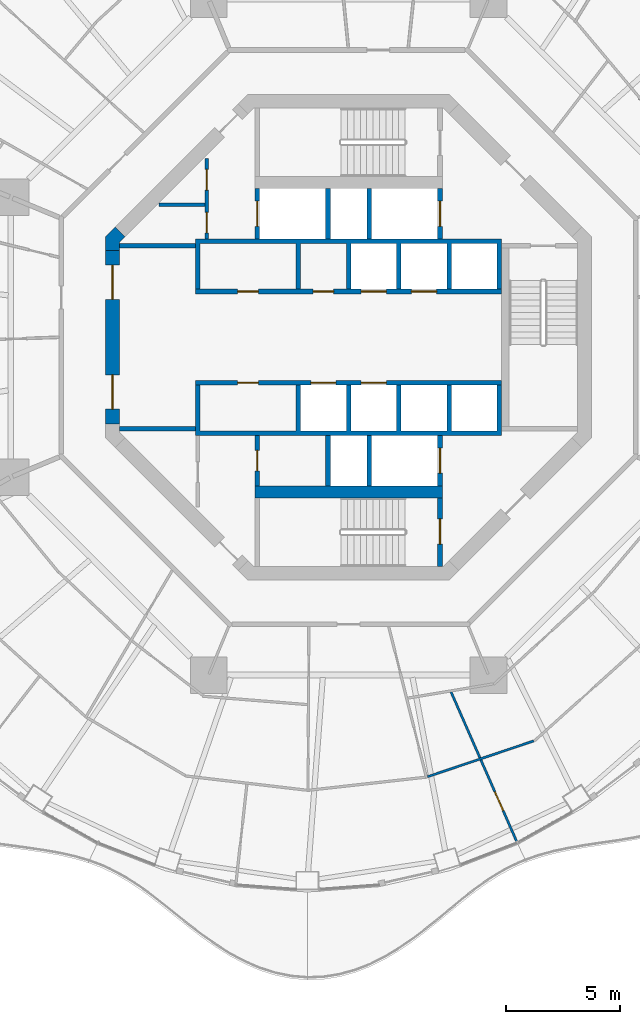
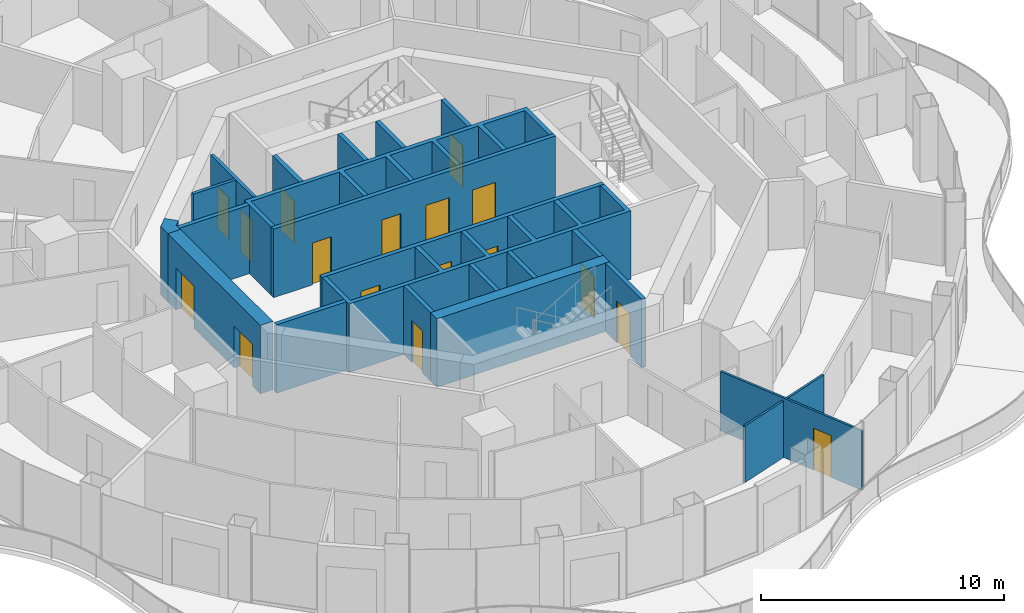
# One storey, part 11 of 18: 22 walls, 17 doors, 17 openings.
"""IFC4 building model written with IfcOpenShell, lengths in metres."""

from ifc_helpers import new_model, si_unit, direction, frame, frame_2d, origin, place, context, subcontext, project, spatial, polyline, rectangle, outline, extrude, material, layer, layer_set, type_object, element, fill, save


model = new_model("IFC4")

# Units and contexts
model_context = context("Model", 3, precision=1e-05, world=origin(), true_north=direction((0.0, 1.0)))
body_context = subcontext(model_context, "Body", "Model", "MODEL_VIEW")
ifc_project = project(units=[si_unit("LENGTHUNIT", "METRE"), si_unit("AREAUNIT", "SQUARE_METRE"), si_unit("VOLUMEUNIT", "CUBIC_METRE"), si_unit("PLANEANGLEUNIT", "RADIAN"), si_unit("MASSUNIT", "GRAM", prefix="KILO")], contexts=[model_context])

# Site, building, storey
site_placement = place(None, origin())
site = spatial("IfcSite", under=ifc_project, at=site_placement, CompositionType="ELEMENT")
building_placement = place(site_placement, origin())
building = spatial("IfcBuilding", under=site, at=building_placement, Name="Nagisa Residences", CompositionType="ELEMENT")
storey_placement = place(building_placement, frame((0.0, 0.0, 223.300048828125)))
storey = spatial("IfcBuildingStorey", under=building, at=storey_placement, Name="L56", CompositionType="ELEMENT", Elevation=223.300048828125)

# Wall
ifc_material_1 = material(Name="Gypsum board on steel studs", Category="steel")
ifc_layer_1 = layer(ifc_material_1, 0.10009765625)
ifc_layer_set_1 = layer_set([ifc_layer_1], Name="Apartment partition 100")
wall_type_1 = type_object("IfcWallType", Name="Apartment partition 100", PredefinedType="PARTITIONING", material=ifc_layer_set_1)
wall_1_placement = place(storey_placement, frame((3.453125, -19.228759765625, 0.0), z_axis=(0.0, 0.0, 1.0), x_axis=(0.947572025416, 0.319542261133, 0.0)))
element("IfcWall", 1, at=wall_1_placement, inside=storey, type_object=wall_type_1, Name="wall:L56:u78", PredefinedType="PARTITIONING", context=body_context, shape_type="SweptSolid", body=[
    extrude(rectangle(XDim=4.90283203125, YDim=0.10009765625, at=frame_2d((2.451416015625, 0.0))), origin(), (0.0, 0.0, 1.0), 2.8369140625),
])

# Wall, opening, door
wall_2_placement = place(storey_placement, frame((4.4853515625, -15.5224609375, 0.0), z_axis=(0.0, 0.0, 1.0), x_axis=(0.401959715825, -0.915657352318, 0.0)))
wall_2 = element("IfcWall", 2, at=wall_2_placement, inside=storey, type_object=wall_type_1, Name="wall:L56:u79", PredefinedType="PARTITIONING", context=body_context, shape_type="SweptSolid", body=[
    extrude(rectangle(XDim=7.23876953125, YDim=0.10009765625, at=frame_2d((3.619384765625, 0.0))), origin(), (0.0, 0.0, 1.0), 2.98291015625),
])
opening_1_placement = place(wall_2_placement, frame((4.76708984375, 0.0, 0.0)))
opening_1 = element("IfcOpeningElement", 3, at=opening_1_placement, cuts=wall_2, Name="Opening L56-U22", PredefinedType="OPENING", context=body_context, shape_type="SweptSolid", body=[
    extrude(rectangle(XDim=0.89990234375, YDim=2.10009765625, at=frame_2d((0.449951171875, 1.050048828125))), frame((0.0, 0.06005859375, 0.0), z_axis=(0.0, -1.0, 0.0), x_axis=(1.0, 0.0, 0.0)), (0.0, 0.0, 1.0), 0.1201171875),
])
ifc_material_2 = material(Name="Timber door set", Category="wood")
door_type_1 = type_object("IfcDoorType", Name="Apartment door 900x2100", OperationType="NOTDEFINED", PredefinedType="DOOR", material=ifc_material_2)
door_1_placement = place(opening_1_placement, origin())
door_1 = element("IfcDoor", 4, at=door_1_placement, inside=storey, type_object=door_type_1, Name="Door to bedroom, Apartment 56C", OperationType="SINGLE_SWING_RIGHT", OverallHeight=2.10009765625, OverallWidth=0.89990234375, PredefinedType="DOOR", context=body_context, shape_type="SweptSolid", body=[
    extrude(rectangle(XDim=0.89990234375, YDim=2.10009765625, at=frame_2d((0.449951171875, 1.050048828125))), frame((0.0, 0.02490234375, 0.0), z_axis=(0.0, -1.0, 0.0), x_axis=(1.0, 0.0, 0.0)), (0.0, 0.0, 1.0), 0.050048828125),
])
fill(opening_1, door_1)

# Wall, openings, doors
ifc_material_3 = material(Name="Gypsum board on steel studs", Category="steel")
ifc_layer_2 = layer(ifc_material_3, 0.14990234375)
ifc_layer_set_2 = layer_set([ifc_layer_2], Name="Core partition 150")
wall_type_2 = type_object("IfcWallType", Name="Core partition 150", PredefinedType="PARTITIONING", material=ifc_layer_set_2)
wall_3_placement = place(storey_placement, frame((-6.199951171875, 4.300048828125, 0.0), z_axis=(0.0, 0.0, 1.0), x_axis=(0.0, 1.0, 0.0)))
wall_3 = element("IfcWall", 5, at=wall_3_placement, inside=storey, type_object=wall_type_2, Name="wall:L56:NWp", PredefinedType="PARTITIONING", context=body_context, shape_type="SweptSolid", body=[
    extrude(rectangle(XDim=3.52685546875, YDim=0.14990234375, at=frame_2d((1.763427734375, 0.0))), origin(), (0.0, 0.0, 1.0), 3.43994140625),
])
opening_2_placement = place(wall_3_placement, frame((0.262451171875, 0.0, 0.0)))
opening_2 = element("IfcOpeningElement", 6, at=opening_2_placement, cuts=wall_3, Name="Opening L56-C11", PredefinedType="OPENING", context=body_context, shape_type="SweptSolid", body=[
    extrude(rectangle(XDim=0.89990234375, YDim=2.10009765625, at=frame_2d((0.449951171875, 1.050048828125))), frame((0.0, 0.0849609375, 0.0), z_axis=(0.0, -1.0, 0.0), x_axis=(1.0, 0.0, 0.0)), (0.0, 0.0, 1.0), 0.169921875),
])
opening_3_placement = place(wall_3_placement, frame((2.138427734375, 0.0, 0.0)))
opening_3 = element("IfcOpeningElement", 7, at=opening_3_placement, cuts=wall_3, Name="Opening L56-C12", PredefinedType="OPENING", context=body_context, shape_type="SweptSolid", body=[
    extrude(rectangle(XDim=0.89990234375, YDim=2.10009765625, at=frame_2d((0.449951171875, 1.050048828125))), frame((0.0, 0.0849609375, 0.0), z_axis=(0.0, -1.0, 0.0), x_axis=(1.0, 0.0, 0.0)), (0.0, 0.0, 1.0), 0.169921875),
])
ifc_material_4 = material(Name="Steel fire door", Category="steel")
door_type_2 = type_object("IfcDoorType", Name="Fire door EI30 900x2100 single swing", OperationType="NOTDEFINED", PredefinedType="DOOR", material=ifc_material_4)
door_2_placement = place(opening_2_placement, origin())
door_2 = element("IfcDoor", 8, at=door_2_placement, inside=storey, type_object=door_type_2, Name="Package room door L56", OperationType="SINGLE_SWING_RIGHT", OverallHeight=2.10009765625, OverallWidth=0.89990234375, PredefinedType="DOOR", context=body_context, shape_type="SweptSolid", body=[
    extrude(rectangle(XDim=0.89990234375, YDim=2.10009765625, at=frame_2d((0.449951171875, 1.050048828125))), frame((0.0, 0.02490234375, 0.0), z_axis=(0.0, -1.0, 0.0), x_axis=(1.0, 0.0, 0.0)), (0.0, 0.0, 1.0), 0.050048828125),
])
fill(opening_2, door_2)
door_3_placement = place(opening_3_placement, origin())
door_3 = element("IfcDoor", 9, at=door_3_placement, inside=storey, type_object=door_type_2, Name="Valet store door L56", OperationType="SINGLE_SWING_RIGHT", OverallHeight=2.10009765625, OverallWidth=0.89990234375, PredefinedType="DOOR", context=body_context, shape_type="SweptSolid", body=[
    extrude(rectangle(XDim=0.89990234375, YDim=2.10009765625, at=frame_2d((0.449951171875, 1.050048828125))), frame((0.0, 0.02490234375, 0.0), z_axis=(0.0, -1.0, 0.0), x_axis=(1.0, 0.0, 0.0)), (0.0, 0.0, 1.0), 0.050048828125),
])
fill(opening_3, door_3)

# Walls
wall_4_placement = place(storey_placement, frame((-8.301025390625, 5.800048828125, 0.0), z_axis=(0.0, 0.0, 1.0), x_axis=(1.0, 0.0, 0.0)))
element("IfcWall", 10, at=wall_4_placement, inside=storey, type_object=wall_type_2, Name="wall:L56:NWq", PredefinedType="PARTITIONING", context=body_context, shape_type="SweptSolid", body=[
    extrude(rectangle(XDim=2.026123046875, YDim=0.14990234375, at=frame_2d((1.01318359375, 0.0))), origin(), (0.0, 0.0, 1.0), 3.43994140625),
])
ifc_material_5 = material(Name="Gypsum board on steel studs", Category="steel")
ifc_layer_3 = layer(ifc_material_5, 0.199951171875)
ifc_layer_set_3 = layer_set([ifc_layer_3], Name="Core partition 200")
wall_type_3 = type_object("IfcWallType", Name="Core partition 200", PredefinedType="PARTITIONING", material=ifc_layer_set_3)
for number, where, z_axis, x_axis, name in (
    (11, (-10.024658203125, -4.0, 0.0), (0.0, 0.0, 1.0), (1.0, 0.0, 0.0), "wall:L56:PSW"),
    (12, (-10.024658203125, 4.0, 0.0), (0.0, 0.0, 1.0), (1.0, 0.0, 0.0), "wall:L56:PNW"),
):
    element("IfcWall", number, at=place(storey_placement, frame(where, z_axis=z_axis, x_axis=x_axis)), inside=storey, type_object=wall_type_3, Name=name, PredefinedType="PARTITIONING", context=body_context, shape_type="SweptSolid", body=[
        extrude(rectangle(XDim=3.32470703125, YDim=0.199951171875, at=frame_2d((1.662353515625, 0.0))), origin(), (0.0, 0.0, 1.0), 3.43994140625),
    ])

# Wall, openings, doors
ifc_material_6 = material(Name="Concrete C60", Category="concrete")
ifc_layer_4 = layer(ifc_material_6, 0.60009765625)
ifc_layer_set_4 = layer_set([ifc_layer_4], Name="Core shear wall 600")
wall_type_4 = type_object("IfcWallType", Name="Core shear wall 600", PredefinedType="SHEAR", material=ifc_layer_set_4)
wall_5_placement = place(storey_placement, frame((-10.32470703125, 3.80078125, 0.0), z_axis=(0.0, 0.0, 1.0), x_axis=(0.0, -1.0, 0.0)))
wall_5 = element("IfcWall", 13, at=wall_5_placement, inside=storey, type_object=wall_type_4, Name="wall:L56:core:flat4", PredefinedType="SHEAR", context=body_context, shape_type="SweptSolid", body=[
    extrude(rectangle(XDim=7.6015625, YDim=0.60009765625, at=frame_2d((3.80078125, 0.0))), origin(), (0.0, 0.0, 1.0), 3.43994140625),
])
opening_4_placement = place(wall_5_placement, frame((0.65087890625, 0.0, 0.0)))
opening_4 = element("IfcOpeningElement", 14, at=opening_4_placement, cuts=wall_5, Name="Opening L56-C20", PredefinedType="OPENING", context=body_context, shape_type="SweptSolid", body=[
    extrude(rectangle(XDim=1.5, YDim=2.10009765625, at=frame_2d((0.75, 1.050048828125))), frame((0.0, 0.31005859375, 0.0), z_axis=(0.0, -1.0, 0.0), x_axis=(1.0, 0.0, 0.0)), (0.0, 0.0, 1.0), 0.6201171875),
])
opening_5_placement = place(wall_5_placement, frame((5.450927734375, 0.0, 0.0)))
opening_5 = element("IfcOpeningElement", 15, at=opening_5_placement, cuts=wall_5, Name="Opening L56-C21", PredefinedType="OPENING", context=body_context, shape_type="SweptSolid", body=[
    extrude(rectangle(XDim=1.5, YDim=2.10009765625, at=frame_2d((0.75, 1.050048828125))), frame((0.0, 0.31005859375, 0.0), z_axis=(0.0, -1.0, 0.0), x_axis=(1.0, 0.0, 0.0)), (0.0, 0.0, 1.0), 0.6201171875),
])
ifc_material_7 = material(Name="Steel fire door", Category="steel")
door_type_3 = type_object("IfcDoorType", Name="Fire door EI60 1500x2100 double door single swing", OperationType="DOUBLE_DOOR_SINGLE_SWING", PredefinedType="DOOR", material=ifc_material_7)
door_4_placement = place(opening_4_placement, origin())
door_4 = element("IfcDoor", 16, at=door_4_placement, inside=storey, type_object=door_type_3, Name="Lift lobby door L56 1", OperationType="DOUBLE_DOOR_SINGLE_SWING", OverallHeight=2.10009765625, OverallWidth=1.5, PredefinedType="DOOR", context=body_context, shape_type="SweptSolid", body=[
    extrude(rectangle(XDim=1.5, YDim=2.10009765625, at=frame_2d((0.75, 1.050048828125))), frame((0.0, 0.02490234375, 0.0), z_axis=(0.0, -1.0, 0.0), x_axis=(1.0, 0.0, 0.0)), (0.0, 0.0, 1.0), 0.050048828125),
])
fill(opening_4, door_4)
door_5_placement = place(opening_5_placement, origin())
door_5 = element("IfcDoor", 17, at=door_5_placement, inside=storey, type_object=door_type_3, Name="Lift lobby door L56 2", OperationType="DOUBLE_DOOR_SINGLE_SWING", OverallHeight=2.10009765625, OverallWidth=1.5, PredefinedType="DOOR", context=body_context, shape_type="SweptSolid", body=[
    extrude(rectangle(XDim=1.5, YDim=2.10009765625, at=frame_2d((0.75, 1.050048828125))), frame((0.0, 0.02490234375, 0.0), z_axis=(0.0, -1.0, 0.0), x_axis=(1.0, 0.0, 0.0)), (0.0, 0.0, 1.0), 0.050048828125),
])
fill(opening_5, door_5)

# Wall
wall_6_placement = place(storey_placement, origin())
element("IfcWall", 18, at=wall_6_placement, inside=storey, type_object=wall_type_4, Name="wall:L56:core:pier3", PredefinedType="SHEAR", context=body_context, shape_type="SweptSolid", body=[
    extrude(outline(polyline([(-10.200439453125, 4.8251953125), (-9.776123046875, 4.40087890625), (-10.024658203125, 4.15234375), (-10.024658203125, 3.80078125), (-10.62451171875, 3.80078125), (-10.62451171875, 4.40087890625), (-10.200439453125, 4.8251953125)])), origin(), (0.0, 0.0, 1.0), 3.43994140625),
])

# Wall, opening, door
ifc_material_8 = material(Name="Concrete C60", Category="concrete")
ifc_layer_5 = layer(ifc_material_8, 0.199951171875)
ifc_layer_set_5 = layer_set([ifc_layer_5], Name="Lift shaft wall 200")
wall_type_5 = type_object("IfcWallType", Name="Lift shaft wall 200", PredefinedType="SOLIDWALL", material=ifc_layer_set_5)
wall_7_placement = place(storey_placement, frame((4.0, 4.300048828125, 0.0), z_axis=(0.0, 0.0, 1.0), x_axis=(0.0, 1.0, 0.0)))
wall_7 = element("IfcWall", 19, at=wall_7_placement, inside=storey, type_object=wall_type_5, Name="wall:L56:Nb3", PredefinedType="SOLIDWALL", context=body_context, shape_type="SweptSolid", body=[
    extrude(rectangle(XDim=2.199951171875, YDim=0.199951171875, at=frame_2d((1.10009765625, 0.0))), origin(), (0.0, 0.0, 1.0), 3.43994140625),
])
opening_6_placement = place(wall_7_placement, frame((0.550048828125, 0.0, 0.0)))
opening_6 = element("IfcOpeningElement", 20, at=opening_6_placement, cuts=wall_7, Name="Opening L56-C05", PredefinedType="OPENING", context=body_context, shape_type="SweptSolid", body=[
    extrude(rectangle(XDim=1.10009765625, YDim=2.10009765625, at=frame_2d((0.550048828125, 1.050048828125))), frame((0.0, 0.10986328125, 0.0), z_axis=(0.0, -1.0, 0.0), x_axis=(1.0, 0.0, 0.0)), (0.0, 0.0, 1.0), 0.219970703125),
])
ifc_material_9 = material(Name="Stainless steel", Category="steel")
door_type_4 = type_object("IfcDoorType", Name="Lift landing door 1100x2100", OperationType="DOUBLE_DOOR_SLIDING", PredefinedType="DOOR", material=ifc_material_9)
door_6_placement = place(opening_6_placement, origin())
door_6 = element("IfcDoor", 21, at=door_6_placement, inside=storey, type_object=door_type_4, Name="Landing door FL1 L56", OperationType="DOUBLE_DOOR_SLIDING", OverallHeight=2.10009765625, OverallWidth=1.10009765625, PredefinedType="DOOR", context=body_context, shape_type="SweptSolid", body=[
    extrude(rectangle(XDim=1.10009765625, YDim=2.10009765625, at=frame_2d((0.550048828125, 1.050048828125))), frame((0.0, 0.02490234375, 0.0), z_axis=(0.0, -1.0, 0.0), x_axis=(1.0, 0.0, 0.0)), (0.0, 0.0, 1.0), 0.050048828125),
])
fill(opening_6, door_6)

wall_8_placement = place(storey_placement, frame((-4.0, 4.300048828125, 0.0), z_axis=(0.0, 0.0, 1.0), x_axis=(0.0, 1.0, 0.0)))
wall_8 = element("IfcWall", 22, at=wall_8_placement, inside=storey, type_object=wall_type_5, Name="wall:L56:Nb4", PredefinedType="SOLIDWALL", context=body_context, shape_type="SweptSolid", body=[
    extrude(rectangle(XDim=2.199951171875, YDim=0.199951171875, at=frame_2d((1.10009765625, 0.0))), origin(), (0.0, 0.0, 1.0), 3.43994140625),
])
opening_7_placement = place(wall_8_placement, frame((0.550048828125, 0.0, 0.0)))
opening_7 = element("IfcOpeningElement", 23, at=opening_7_placement, cuts=wall_8, Name="Opening L56-C07", PredefinedType="OPENING", context=body_context, shape_type="SweptSolid", body=[
    extrude(rectangle(XDim=1.10009765625, YDim=2.10009765625, at=frame_2d((0.550048828125, 1.050048828125))), frame((0.0, 0.10986328125, 0.0), z_axis=(0.0, -1.0, 0.0), x_axis=(1.0, 0.0, 0.0)), (0.0, 0.0, 1.0), 0.219970703125),
])
door_7_placement = place(opening_7_placement, origin())
door_7 = element("IfcDoor", 24, at=door_7_placement, inside=storey, type_object=door_type_4, Name="Landing door SV L56", OperationType="DOUBLE_DOOR_SLIDING", OverallHeight=2.10009765625, OverallWidth=1.10009765625, PredefinedType="DOOR", context=body_context, shape_type="SweptSolid", body=[
    extrude(rectangle(XDim=1.10009765625, YDim=2.10009765625, at=frame_2d((0.550048828125, 1.050048828125))), frame((0.0, 0.02490234375, 0.0), z_axis=(0.0, -1.0, 0.0), x_axis=(1.0, 0.0, 0.0)), (0.0, 0.0, 1.0), 0.050048828125),
])
fill(opening_7, door_7)

# Wall, openings, doors
wall_9_placement = place(storey_placement, frame((-6.699951171875, 2.0, 0.0), z_axis=(0.0, 0.0, 1.0), x_axis=(1.0, 0.0, 0.0)))
wall_9 = element("IfcWall", 25, at=wall_9_placement, inside=storey, type_object=wall_type_5, Name="wall:L56:Nfront", PredefinedType="SOLIDWALL", context=body_context, shape_type="SweptSolid", body=[
    extrude(rectangle(XDim=13.39990234375, YDim=0.199951171875, at=frame_2d((6.699951171875, 0.0))), origin(), (0.0, 0.0, 1.0), 3.43994140625),
])
opening_8_placement = place(wall_9_placement, frame((7.25, 0.0, 0.0)))
opening_8 = element("IfcOpeningElement", 26, at=opening_8_placement, cuts=wall_9, Name="Opening L56-C01", PredefinedType="OPENING", context=body_context, shape_type="SweptSolid", body=[
    extrude(rectangle(XDim=1.10009765625, YDim=2.10009765625, at=frame_2d((0.550048828125, 1.050048828125))), frame((0.0, 0.10986328125, 0.0), z_axis=(0.0, -1.0, 0.0), x_axis=(1.0, 0.0, 0.0)), (0.0, 0.0, 1.0), 0.219970703125),
])
opening_9_placement = place(wall_9_placement, frame((9.449951171875, 0.0, 0.0)))
opening_9 = element("IfcOpeningElement", 27, at=opening_9_placement, cuts=wall_9, Name="Opening L56-C02", PredefinedType="OPENING", context=body_context, shape_type="SweptSolid", body=[
    extrude(rectangle(XDim=1.10009765625, YDim=2.10009765625, at=frame_2d((0.550048828125, 1.050048828125))), frame((0.0, 0.10986328125, 0.0), z_axis=(0.0, -1.0, 0.0), x_axis=(1.0, 0.0, 0.0)), (0.0, 0.0, 1.0), 0.219970703125),
])
opening_10_placement = place(wall_9_placement, frame((1.85009765625, 0.0, 0.0)))
opening_10 = element("IfcOpeningElement", 28, at=opening_10_placement, cuts=wall_9, Name="Opening L56-C15", PredefinedType="OPENING", context=body_context, shape_type="SweptSolid", body=[
    extrude(rectangle(XDim=0.89990234375, YDim=2.10009765625, at=frame_2d((0.449951171875, 1.050048828125))), frame((0.0, 0.10986328125, 0.0), z_axis=(0.0, -1.0, 0.0), x_axis=(1.0, 0.0, 0.0)), (0.0, 0.0, 1.0), 0.219970703125),
])
opening_11_placement = place(wall_9_placement, frame((5.14990234375, 0.0, 0.0)))
opening_11 = element("IfcOpeningElement", 29, at=opening_11_placement, cuts=wall_9, Name="Opening L56-C16", PredefinedType="OPENING", context=body_context, shape_type="SweptSolid", body=[
    extrude(rectangle(XDim=0.89990234375, YDim=2.10009765625, at=frame_2d((0.449951171875, 1.050048828125))), frame((0.0, 0.10986328125, 0.0), z_axis=(0.0, -1.0, 0.0), x_axis=(1.0, 0.0, 0.0)), (0.0, 0.0, 1.0), 0.219970703125),
])
door_8_placement = place(opening_10_placement, origin())
door_8 = element("IfcDoor", 30, at=door_8_placement, inside=storey, type_object=door_type_2, Name="Tea preparation door L56", OperationType="SINGLE_SWING_LEFT", OverallHeight=2.10009765625, OverallWidth=0.89990234375, PredefinedType="DOOR", context=body_context, shape_type="SweptSolid", body=[
    extrude(rectangle(XDim=0.89990234375, YDim=2.10009765625, at=frame_2d((0.449951171875, 1.050048828125))), frame((0.0, 0.02490234375, 0.0), z_axis=(0.0, -1.0, 0.0), x_axis=(1.0, 0.0, 0.0)), (0.0, 0.0, 1.0), 0.050048828125),
])
fill(opening_10, door_8)
door_9_placement = place(opening_11_placement, origin())
door_9 = element("IfcDoor", 31, at=door_9_placement, inside=storey, type_object=door_type_2, Name="Housekeeping store door L56", OperationType="SINGLE_SWING_LEFT", OverallHeight=2.10009765625, OverallWidth=0.89990234375, PredefinedType="DOOR", context=body_context, shape_type="SweptSolid", body=[
    extrude(rectangle(XDim=0.89990234375, YDim=2.10009765625, at=frame_2d((0.449951171875, 1.050048828125))), frame((0.0, 0.02490234375, 0.0), z_axis=(0.0, -1.0, 0.0), x_axis=(1.0, 0.0, 0.0)), (0.0, 0.0, 1.0), 0.050048828125),
])
fill(opening_11, door_9)
door_10_placement = place(opening_8_placement, origin())
door_10 = element("IfcDoor", 32, at=door_10_placement, inside=storey, type_object=door_type_4, Name="Landing door B1 L56", OperationType="DOUBLE_DOOR_SLIDING", OverallHeight=2.10009765625, OverallWidth=1.10009765625, PredefinedType="DOOR", context=body_context, shape_type="SweptSolid", body=[
    extrude(rectangle(XDim=1.10009765625, YDim=2.10009765625, at=frame_2d((0.550048828125, 1.050048828125))), frame((0.0, 0.02490234375, 0.0), z_axis=(0.0, -1.0, 0.0), x_axis=(1.0, 0.0, 0.0)), (0.0, 0.0, 1.0), 0.050048828125),
])
fill(opening_8, door_10)
door_11_placement = place(opening_9_placement, origin())
door_11 = element("IfcDoor", 33, at=door_11_placement, inside=storey, type_object=door_type_4, Name="Landing door B2 L56", OperationType="DOUBLE_DOOR_SLIDING", OverallHeight=2.10009765625, OverallWidth=1.10009765625, PredefinedType="DOOR", context=body_context, shape_type="SweptSolid", body=[
    extrude(rectangle(XDim=1.10009765625, YDim=2.10009765625, at=frame_2d((0.550048828125, 1.050048828125))), frame((0.0, 0.02490234375, 0.0), z_axis=(0.0, -1.0, 0.0), x_axis=(1.0, 0.0, 0.0)), (0.0, 0.0, 1.0), 0.050048828125),
])
fill(opening_9, door_11)

# Wall, opening, door
wall_10_placement = place(storey_placement, frame((4.0, -6.5, 0.0), z_axis=(0.0, 0.0, 1.0), x_axis=(0.0, 1.0, 0.0)))
wall_10 = element("IfcWall", 34, at=wall_10_placement, inside=storey, type_object=wall_type_5, Name="wall:L56:Sb3", PredefinedType="SOLIDWALL", context=body_context, shape_type="SweptSolid", body=[
    extrude(rectangle(XDim=2.199951171875, YDim=0.199951171875, at=frame_2d((1.10009765625, 0.0))), origin(), (0.0, 0.0, 1.0), 3.43994140625),
])
opening_12_placement = place(wall_10_placement, frame((0.550048828125, 0.0, 0.0)))
opening_12 = element("IfcOpeningElement", 35, at=opening_12_placement, cuts=wall_10, Name="Opening L56-C06", PredefinedType="OPENING", context=body_context, shape_type="SweptSolid", body=[
    extrude(rectangle(XDim=1.10009765625, YDim=2.10009765625, at=frame_2d((0.550048828125, 1.050048828125))), frame((0.0, 0.10986328125, 0.0), z_axis=(0.0, -1.0, 0.0), x_axis=(1.0, 0.0, 0.0)), (0.0, 0.0, 1.0), 0.219970703125),
])
door_12_placement = place(opening_12_placement, origin())
door_12 = element("IfcDoor", 36, at=door_12_placement, inside=storey, type_object=door_type_4, Name="Landing door FL2 L56", OperationType="DOUBLE_DOOR_SLIDING", OverallHeight=2.10009765625, OverallWidth=1.10009765625, PredefinedType="DOOR", context=body_context, shape_type="SweptSolid", body=[
    extrude(rectangle(XDim=1.10009765625, YDim=2.10009765625, at=frame_2d((0.550048828125, 1.050048828125))), frame((0.0, 0.02490234375, 0.0), z_axis=(0.0, -1.0, 0.0), x_axis=(1.0, 0.0, 0.0)), (0.0, 0.0, 1.0), 0.050048828125),
])
fill(opening_12, door_12)

wall_11_placement = place(storey_placement, frame((-4.0, -6.5, 0.0), z_axis=(0.0, 0.0, 1.0), x_axis=(0.0, 1.0, 0.0)))
wall_11 = element("IfcWall", 37, at=wall_11_placement, inside=storey, type_object=wall_type_5, Name="wall:L56:Sb4", PredefinedType="SOLIDWALL", context=body_context, shape_type="SweptSolid", body=[
    extrude(rectangle(XDim=2.199951171875, YDim=0.199951171875, at=frame_2d((1.10009765625, 0.0))), origin(), (0.0, 0.0, 1.0), 3.43994140625),
])
opening_13_placement = place(wall_11_placement, frame((0.64990234375, 0.0, 0.0)))
opening_13 = element("IfcOpeningElement", 38, at=opening_13_placement, cuts=wall_11, Name="Opening L56-C14", PredefinedType="OPENING", context=body_context, shape_type="SweptSolid", body=[
    extrude(rectangle(XDim=0.89990234375, YDim=2.10009765625, at=frame_2d((0.449951171875, 1.050048828125))), frame((0.0, 0.10986328125, 0.0), z_axis=(0.0, -1.0, 0.0), x_axis=(1.0, 0.0, 0.0)), (0.0, 0.0, 1.0), 0.219970703125),
])
door_13_placement = place(opening_13_placement, frame((0.89990234375, 0.0, 0.0), x_axis=(-1.0, 0.0, 0.0)))
door_13 = element("IfcDoor", 39, at=door_13_placement, inside=storey, type_object=door_type_2, Name="Refuse room door L56", OperationType="SINGLE_SWING_RIGHT", OverallHeight=2.10009765625, OverallWidth=0.89990234375, PredefinedType="DOOR", context=body_context, shape_type="SweptSolid", body=[
    extrude(rectangle(XDim=0.89990234375, YDim=2.10009765625, at=frame_2d((0.449951171875, 1.050048828125))), frame((0.0, 0.02490234375, 0.0), z_axis=(0.0, -1.0, 0.0), x_axis=(1.0, 0.0, 0.0)), (0.0, 0.0, 1.0), 0.050048828125),
])
fill(opening_13, door_13)

# Wall, openings, doors
wall_12_placement = place(storey_placement, frame((-6.699951171875, -2.0, 0.0), z_axis=(0.0, 0.0, 1.0), x_axis=(1.0, 0.0, 0.0)))
wall_12 = element("IfcWall", 40, at=wall_12_placement, inside=storey, type_object=wall_type_5, Name="wall:L56:Sfront", PredefinedType="SOLIDWALL", context=body_context, shape_type="SweptSolid", body=[
    extrude(rectangle(XDim=13.39990234375, YDim=0.199951171875, at=frame_2d((6.699951171875, 0.0))), origin(), (0.0, 0.0, 1.0), 3.43994140625),
])
opening_14_placement = place(wall_12_placement, frame((5.050048828125, 0.0, 0.0)))
opening_14 = element("IfcOpeningElement", 41, at=opening_14_placement, cuts=wall_12, Name="Opening L56-C03", PredefinedType="OPENING", context=body_context, shape_type="SweptSolid", body=[
    extrude(rectangle(XDim=1.10009765625, YDim=2.10009765625, at=frame_2d((0.550048828125, 1.050048828125))), frame((0.0, 0.10986328125, 0.0), z_axis=(0.0, -1.0, 0.0), x_axis=(1.0, 0.0, 0.0)), (0.0, 0.0, 1.0), 0.219970703125),
])
opening_15_placement = place(wall_12_placement, frame((7.25, 0.0, 0.0)))
opening_15 = element("IfcOpeningElement", 42, at=opening_15_placement, cuts=wall_12, Name="Opening L56-C04", PredefinedType="OPENING", context=body_context, shape_type="SweptSolid", body=[
    extrude(rectangle(XDim=1.10009765625, YDim=2.10009765625, at=frame_2d((0.550048828125, 1.050048828125))), frame((0.0, 0.10986328125, 0.0), z_axis=(0.0, -1.0, 0.0), x_axis=(1.0, 0.0, 0.0)), (0.0, 0.0, 1.0), 0.219970703125),
])
opening_16_placement = place(wall_12_placement, frame((1.85009765625, 0.0, 0.0)))
opening_16 = element("IfcOpeningElement", 43, at=opening_16_placement, cuts=wall_12, Name="Opening L56-C17", PredefinedType="OPENING", context=body_context, shape_type="SweptSolid", body=[
    extrude(rectangle(XDim=0.89990234375, YDim=2.10009765625, at=frame_2d((0.449951171875, 1.050048828125))), frame((0.0, 0.10986328125, 0.0), z_axis=(0.0, -1.0, 0.0), x_axis=(1.0, 0.0, 0.0)), (0.0, 0.0, 1.0), 0.219970703125),
])
door_14_placement = place(opening_16_placement, frame((0.89990234375, 0.0, 0.0), x_axis=(-1.0, 0.0, 0.0)))
door_14 = element("IfcDoor", 44, at=door_14_placement, inside=storey, type_object=door_type_2, Name="Owner storage door L56", OperationType="SINGLE_SWING_RIGHT", OverallHeight=2.10009765625, OverallWidth=0.89990234375, PredefinedType="DOOR", context=body_context, shape_type="SweptSolid", body=[
    extrude(rectangle(XDim=0.89990234375, YDim=2.10009765625, at=frame_2d((0.449951171875, 1.050048828125))), frame((0.0, 0.02490234375, 0.0), z_axis=(0.0, -1.0, 0.0), x_axis=(1.0, 0.0, 0.0)), (0.0, 0.0, 1.0), 0.050048828125),
])
fill(opening_16, door_14)
door_15_placement = place(opening_14_placement, origin())
door_15 = element("IfcDoor", 45, at=door_15_placement, inside=storey, type_object=door_type_4, Name="Landing door B3 L56", OperationType="DOUBLE_DOOR_SLIDING", OverallHeight=2.10009765625, OverallWidth=1.10009765625, PredefinedType="DOOR", context=body_context, shape_type="SweptSolid", body=[
    extrude(rectangle(XDim=1.10009765625, YDim=2.10009765625, at=frame_2d((0.550048828125, 1.050048828125))), frame((0.0, 0.02490234375, 0.0), z_axis=(0.0, -1.0, 0.0), x_axis=(1.0, 0.0, 0.0)), (0.0, 0.0, 1.0), 0.050048828125),
])
fill(opening_14, door_15)
door_16_placement = place(opening_15_placement, origin())
door_16 = element("IfcDoor", 46, at=door_16_placement, inside=storey, type_object=door_type_4, Name="Landing door B4 L56", OperationType="DOUBLE_DOOR_SLIDING", OverallHeight=2.10009765625, OverallWidth=1.10009765625, PredefinedType="DOOR", context=body_context, shape_type="SweptSolid", body=[
    extrude(rectangle(XDim=1.10009765625, YDim=2.10009765625, at=frame_2d((0.550048828125, 1.050048828125))), frame((0.0, 0.02490234375, 0.0), z_axis=(0.0, -1.0, 0.0), x_axis=(1.0, 0.0, 0.0)), (0.0, 0.0, 1.0), 0.050048828125),
])
fill(opening_15, door_16)

# Walls
for number, where, z_axis, x_axis, name in (
    (47, (-0.89990234375, -6.5, 0.0), (0.0, 0.0, 1.0), (0.0, 1.0, 0.0), "wall:L56:Sb1"),
    (48, (0.89990234375, -6.5, 0.0), (0.0, 0.0, 1.0), (0.0, 1.0, 0.0), "wall:L56:Sb2"),
):
    element("IfcWall", number, at=place(storey_placement, frame(where, z_axis=z_axis, x_axis=x_axis)), inside=storey, type_object=wall_type_5, Name=name, PredefinedType="SOLIDWALL", context=body_context, shape_type="SweptSolid", body=[
        extrude(rectangle(XDim=2.199951171875, YDim=0.199951171875, at=frame_2d((1.10009765625, 0.0))), origin(), (0.0, 0.0, 1.0), 3.43994140625),
    ])
wall_13_placement = place(storey_placement, origin())
element("IfcWall", 49, at=wall_13_placement, inside=storey, type_object=wall_type_5, Name="wall:L56:Sback", PredefinedType="SOLIDWALL", context=body_context, shape_type="SweptSolid", body=[
    extrude(outline(polyline([(-6.699951171875, -2.10009765625), (-6.5, -2.10009765625), (-6.5, -4.10009765625), (-2.300048828125, -4.10009765625), (-2.300048828125, -2.10009765625), (-2.10009765625, -2.10009765625), (-2.10009765625, -4.10009765625), (-0.10009765625, -4.10009765625), (-0.10009765625, -2.10009765625), (0.10009765625, -2.10009765625), (0.10009765625, -4.10009765625), (2.10009765625, -4.10009765625), (2.10009765625, -2.10009765625), (2.300048828125, -2.10009765625), (2.300048828125, -4.10009765625), (4.300048828125, -4.10009765625), (4.300048828125, -2.10009765625), (4.5, -2.10009765625), (4.5, -4.10009765625), (6.5, -4.10009765625), (6.5, -2.10009765625), (6.699951171875, -2.10009765625), (6.699951171875, -4.300048828125), (-6.699951171875, -4.300048828125), (-6.699951171875, -2.10009765625)])), origin(), (0.0, 0.0, 1.0), 3.43994140625),
])
for number, where, z_axis, x_axis, name in (
    (50, (-0.89990234375, 4.300048828125, 0.0), (0.0, 0.0, 1.0), (0.0, 1.0, 0.0), "wall:L56:Nb1"),
    (51, (0.89990234375, 4.300048828125, 0.0), (0.0, 0.0, 1.0), (0.0, 1.0, 0.0), "wall:L56:Nb2"),
):
    element("IfcWall", number, at=place(storey_placement, frame(where, z_axis=z_axis, x_axis=x_axis)), inside=storey, type_object=wall_type_5, Name=name, PredefinedType="SOLIDWALL", context=body_context, shape_type="SweptSolid", body=[
        extrude(rectangle(XDim=2.199951171875, YDim=0.199951171875, at=frame_2d((1.10009765625, 0.0))), origin(), (0.0, 0.0, 1.0), 3.43994140625),
    ])
wall_14_placement = place(storey_placement, origin())
element("IfcWall", 52, at=wall_14_placement, inside=storey, type_object=wall_type_5, Name="wall:L56:Nback", PredefinedType="SOLIDWALL", context=body_context, shape_type="SweptSolid", body=[
    extrude(outline(polyline([(-6.699951171875, 4.300048828125), (6.699951171875, 4.300048828125), (6.699951171875, 2.10009765625), (6.5, 2.10009765625), (6.5, 4.10009765625), (4.5, 4.10009765625), (4.5, 2.10009765625), (4.300048828125, 2.10009765625), (4.300048828125, 4.10009765625), (2.300048828125, 4.10009765625), (2.300048828125, 2.10009765625), (2.10009765625, 2.10009765625), (2.10009765625, 4.10009765625), (0.10009765625, 4.10009765625), (0.10009765625, 2.10009765625), (-0.10009765625, 2.10009765625), (-0.10009765625, 4.10009765625), (-2.10009765625, 4.10009765625), (-2.10009765625, 2.10009765625), (-2.300048828125, 2.10009765625), (-2.300048828125, 4.10009765625), (-6.5, 4.10009765625), (-6.5, 2.10009765625), (-6.699951171875, 2.10009765625), (-6.699951171875, 4.300048828125)])), origin(), (0.0, 0.0, 1.0), 3.43994140625),
])

# Wall, opening, door
ifc_material_10 = material(Name="Concrete C60", Category="concrete")
ifc_layer_6 = layer(ifc_material_10, 0.199951171875)
ifc_layer_set_6 = layer_set([ifc_layer_6], Name="Stair enclosure wall 200")
wall_type_6 = type_object("IfcWallType", Name="Stair enclosure wall 200", PredefinedType="SOLIDWALL", material=ifc_layer_set_6)
wall_15_placement = place(storey_placement, frame((4.0, -10.024658203125, 0.0), z_axis=(0.0, 0.0, 1.0), x_axis=(0.0, 1.0, 0.0)))
wall_15 = element("IfcWall", 53, at=wall_15_placement, inside=storey, type_object=wall_type_6, Name="wall:L56:SS_e", PredefinedType="SOLIDWALL", context=body_context, shape_type="SweptSolid", body=[
    extrude(rectangle(XDim=3.0, YDim=0.199951171875, at=frame_2d((1.5, 0.0))), origin(), (0.0, 0.0, 1.0), 3.43994140625),
])
opening_17_placement = place(wall_15_placement, frame((0.974609375, 0.0, 0.0)))
opening_17 = element("IfcOpeningElement", 54, at=opening_17_placement, cuts=wall_15, Name="Opening L56-C10", PredefinedType="OPENING", context=body_context, shape_type="SweptSolid", body=[
    extrude(rectangle(XDim=1.10009765625, YDim=2.10009765625, at=frame_2d((0.550048828125, 1.050048828125))), frame((0.0, 0.10986328125, 0.0), z_axis=(0.0, -1.0, 0.0), x_axis=(1.0, 0.0, 0.0)), (0.0, 0.0, 1.0), 0.219970703125),
])
ifc_material_11 = material(Name="Steel fire door", Category="steel")
door_type_5 = type_object("IfcDoorType", Name="Fire door EI90 1100x2100 single swing", OperationType="NOTDEFINED", PredefinedType="DOOR", material=ifc_material_11)
door_17_placement = place(opening_17_placement, origin())
door_17 = element("IfcDoor", 55, at=door_17_placement, inside=storey, type_object=door_type_5, Name="Stair door ST-S L56", OperationType="SINGLE_SWING_RIGHT", OverallHeight=2.10009765625, OverallWidth=1.10009765625, PredefinedType="DOOR", context=body_context, shape_type="SweptSolid", body=[
    extrude(rectangle(XDim=1.10009765625, YDim=2.10009765625, at=frame_2d((0.550048828125, 1.050048828125))), frame((0.0, 0.02490234375, 0.0), z_axis=(0.0, -1.0, 0.0), x_axis=(1.0, 0.0, 0.0)), (0.0, 0.0, 1.0), 0.050048828125),
])
fill(opening_17, door_17)

# Wall
wall_16_placement = place(storey_placement, origin())
element("IfcWall", 56, at=wall_16_placement, inside=storey, type_object=wall_type_6, Name="wall:L56:SS_n", PredefinedType="SOLIDWALL", context=body_context, shape_type="SweptSolid", body=[
    extrude(outline(polyline([(4.10009765625, -7.024658203125), (-4.10009765625, -7.024658203125), (-4.10009765625, -6.5), (4.10009765625, -6.5), (4.10009765625, -7.024658203125)])), origin(), (0.0, 0.0, 1.0), 3.43994140625),
])

save(model, "model.ifc")
